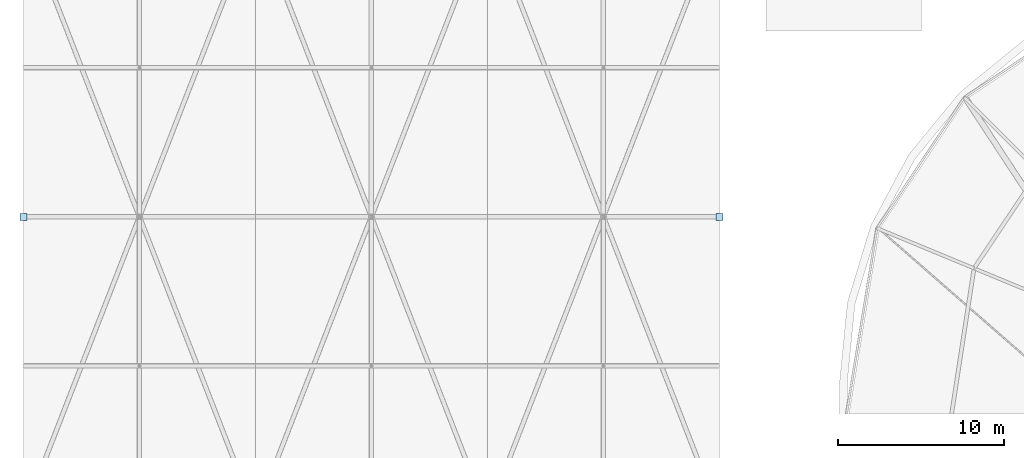
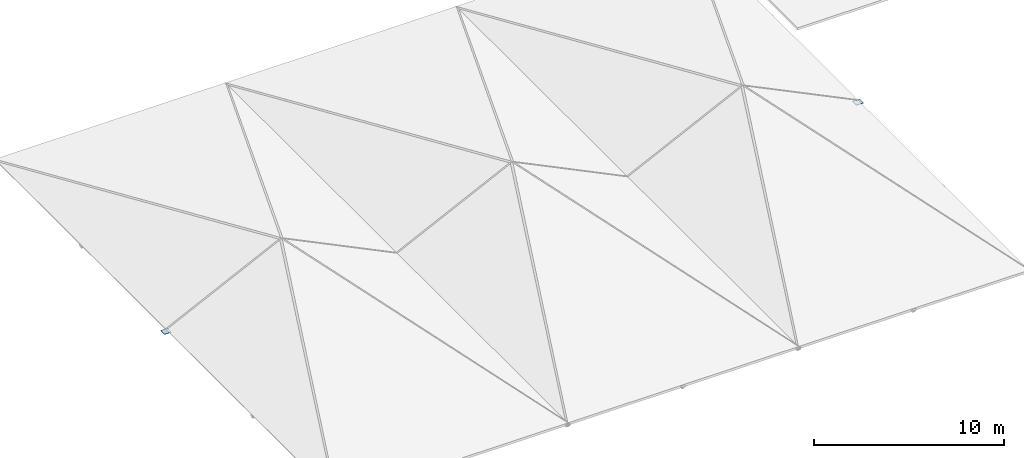
# One storey, part 83 of 93: 2 plates.
"""IFC4 building model written with IfcOpenShell, lengths in metres."""

from ifc_helpers import new_model, si_unit, derived_unit, direction, frame, origin, origin_2d_with_axis, place, context, subcontext, project, spatial, rectangle, extrude, material, layer, layer_set, type_object, element, save


model = new_model("IFC4")

# Units and contexts
model_context = context("Model", 3, precision=1e-05, world=origin(), true_north=direction((0.0, 1.0)))
body_context = subcontext(model_context, "Body", "Model", "MODEL_VIEW")
ifc_project = project(units=[si_unit("LENGTHUNIT", "METRE"), si_unit("AREAUNIT", "SQUARE_METRE"), si_unit("VOLUMEUNIT", "CUBIC_METRE"), si_unit("PLANEANGLEUNIT", "RADIAN"), si_unit("MASSUNIT", "GRAM", prefix="KILO"), derived_unit("THERMALTRANSMITTANCEUNIT", [(si_unit("POWERUNIT", "WATT"), 1), (si_unit("LENGTHUNIT", "METRE"), -2), (si_unit("THERMODYNAMICTEMPERATUREUNIT", "KELVIN"), -1)])], contexts=[model_context])

# Site, building, storey
site_placement = place(None, origin())
site = spatial("IfcSite", under=ifc_project, at=site_placement, CompositionType="ELEMENT")
building_placement = place(site_placement, origin())
building = spatial("IfcBuilding", under=site, at=building_placement, Name="Cinnabar Yard Market Hall", CompositionType="ELEMENT")
storey_placement = place(building_placement, frame((0.0, 0.0, 23.800048828125)))
storey = spatial("IfcBuildingStorey", under=building, at=storey_placement, Name="ROOF", CompositionType="ELEMENT", Elevation=23.800048828125)

# Plates
ifc_material = material(Name="Steel Grade 350 (350 MPa)", Category="steel")
ifc_layer = layer(ifc_material, 0.02392578125)
ifc_layer_set = layer_set([ifc_layer], Name="Steel Grade 350 (350 MPa)")
plate_type = type_object("IfcPlateType", Name="PL-NP16", PredefinedType="SHEET", material=ifc_layer_set)
for number, where, z_axis, x_axis, name in (
    (1, (10.0, 66.0, -15.412109375), (0.0, 0.0, 1.0), (1.0, 0.0, 0.0), "Hollow Member Cap Plate 11"),
    (2, (52.0, 66.0, -15.412109375), (0.0, 0.0, 1.0), (1.0, 0.0, 0.0), "Hollow Member Cap Plate 12"),
):
    element("IfcPlate", number, at=place(storey_placement, frame(where, z_axis=z_axis, x_axis=x_axis)), inside=storey, type_object=plate_type, Name=name, PredefinedType="SHEET", context=body_context, shape_type="SweptSolid", body=[
        extrude(rectangle(XDim=0.419921875, YDim=0.419921875, at=origin_2d_with_axis()), origin(), (0.0, 0.0, 1.0), 0.02392578125),
    ])

save(model, "model.ifc")
